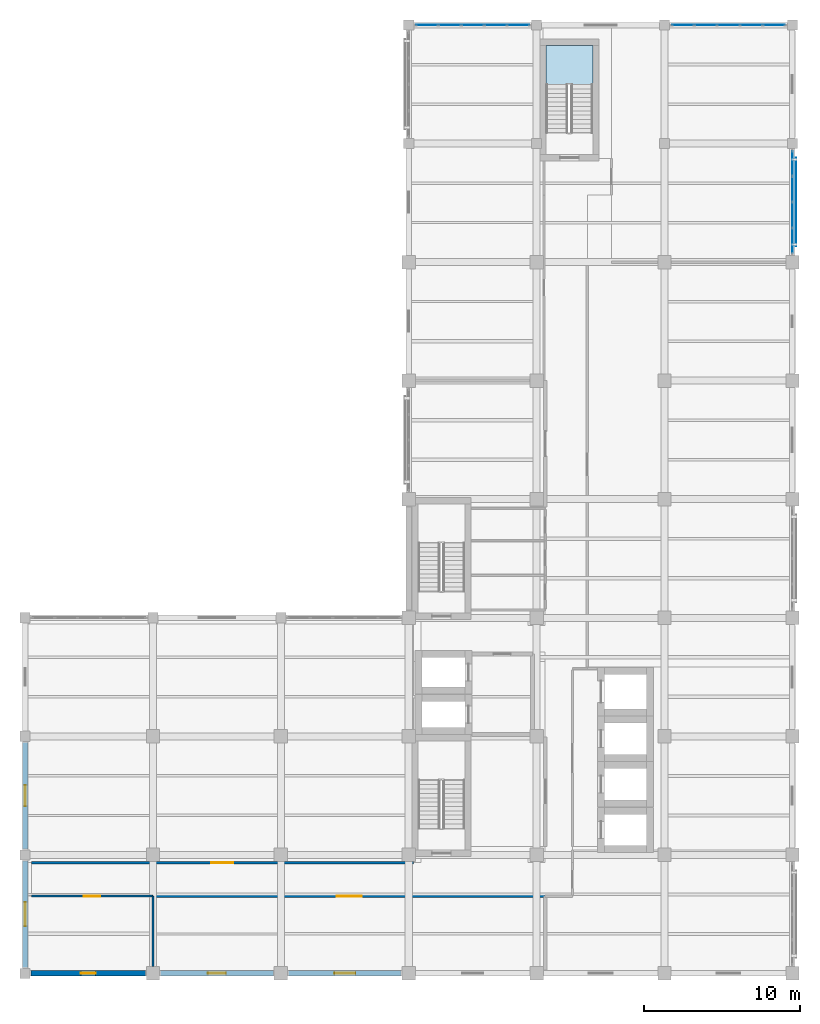
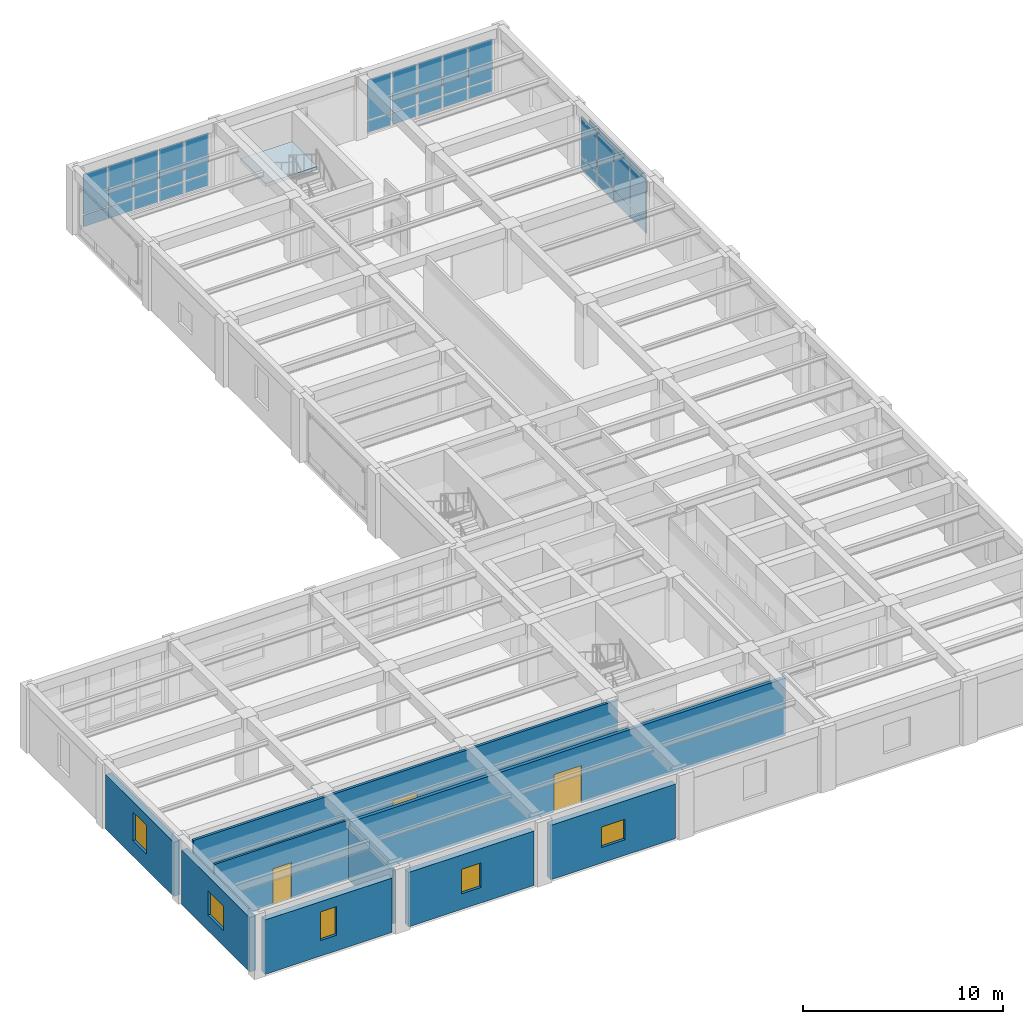
# One storey, part 8 of 17: 29 plates, 9 walls, 5 windows, 3 doors, 1 slab, 8 openings, 4 elements without a shape of their own.
"""IFC4 building model written with IfcOpenShell, lengths in metres."""

import ifcopenshell
import ifcopenshell.guid

model = None  # the IFC model being written
_history = None  # IfcOwnerHistory: only IFC2X3 demands one
_inside = {}  # id of a spatial element -> (the spatial element, [elements in it])
_under = {}  # id of a project, library or spatial element -> (it, [spatial elements below it])
_declared = {}  # id of a project -> (the project, [libraries it declares])
_typed = {}  # id of a type object -> (the type object, [elements of that type])
_made_of = {}  # id of a material, layer set ... -> (it, [elements and type objects made of it])


def new_model(schema):
    """Start an empty IFC model of exactly this schema.

    Asked for "IFC4X3", IfcOpenShell would pick the latest addendum, in which some entities
    have other attributes; the version numbers below select the first issue.
    IFC2X3 requires an IfcOwnerHistory on every rooted entity: one is made here for all.
    """
    global model, _history
    if schema == "IFC4X3":
        model = ifcopenshell.file(schema_version=(4, 3, 0, 0))
    else:
        model = ifcopenshell.file(schema=schema)
    _inside.clear()
    _under.clear()
    _declared.clear()
    _typed.clear()
    _made_of.clear()
    _history = None
    if model.schema == "IFC2X3":
        org = make("IfcOrganization", Name="unknown")
        user = make(
            "IfcPersonAndOrganization",
            ThePerson=make("IfcPerson", FamilyName="unknown"),
            TheOrganization=org,
        )
        app = make(
            "IfcApplication",
            ApplicationDeveloper=org,
            Version="unknown",
            ApplicationFullName="unknown",
            ApplicationIdentifier="unknown",
        )
        _history = make(
            "IfcOwnerHistory",
            OwningUser=user,
            OwningApplication=app,
            ChangeAction="ADDED",
            CreationDate=0,
        )
    return model


def make(cls, **values):
    """One entity of the class cls with the attributes given. An attribute that is None is left unset."""
    return model.create_entity(
        cls, **{name: value for name, value in values.items() if value is not None}
    )


def rooted(cls, **values):
    """An entity with a GlobalId (a new one), such as an element, a storey or a relation."""
    return make(cls, GlobalId=ifcopenshell.guid.new(), OwnerHistory=_history, **values)


def si_unit(unit_type, name, prefix=None):
    """IfcSIUnit, for example si_unit("LENGTHUNIT", "METRE", prefix="MILLI")."""
    return make("IfcSIUnit", UnitType=unit_type, Prefix=prefix, Name=name)


def assignment(units):
    """IfcUnitAssignment: the units of a project."""
    return None if units is None else make("IfcUnitAssignment", Units=units)


def point(xyz):
    """IfcCartesianPoint."""
    return None if xyz is None else make("IfcCartesianPoint", Coordinates=xyz)


def direction(xyz):
    """IfcDirection."""
    return None if xyz is None else make("IfcDirection", DirectionRatios=xyz)


def frame(location, z_axis=None, x_axis=None):
    """IfcAxis2Placement3D, a coordinate frame: its origin and axes. An axis left out is left unset."""
    return make(
        "IfcAxis2Placement3D",
        Location=point(location),
        Axis=direction(z_axis),
        RefDirection=direction(x_axis),
    )


def frame_2d(location, x_axis=None):
    """IfcAxis2Placement2D, a coordinate frame in the plane: its origin and x axis."""
    return make(
        "IfcAxis2Placement2D", Location=point(location), RefDirection=direction(x_axis)
    )


def origin():
    """The frame at (0, 0, 0) with its axes left unset."""
    return frame((0.0, 0.0, 0.0))


def origin_2d():
    """The frame at (0, 0) in the plane with its x axis left unset."""
    return frame_2d((0.0, 0.0))


def place(relative_to, where):
    """IfcLocalPlacement: puts the frame where relative to a parent placement (None: the world)."""
    return make(
        "IfcLocalPlacement", PlacementRelTo=relative_to, RelativePlacement=where
    )


def context(
    kind, dimensions, precision=None, world=None, true_north=None, identifier=None
):
    """IfcGeometricRepresentationContext, for example the 3D "Model" context."""
    return make(
        "IfcGeometricRepresentationContext",
        ContextIdentifier=identifier,
        ContextType=kind,
        CoordinateSpaceDimension=dimensions,
        Precision=precision,
        WorldCoordinateSystem=world,
        TrueNorth=true_north,
    )


def subcontext(parent, identifier, kind, view, scale=None):
    """IfcGeometricRepresentationSubContext, for example "Body" below "Model"."""
    return make(
        "IfcGeometricRepresentationSubContext",
        ContextIdentifier=identifier,
        ContextType=kind,
        ParentContext=parent,
        TargetScale=scale,
        TargetView=view,
    )


def project(units=None, contexts=None):
    """IfcProject with its units and contexts."""
    return rooted(
        "IfcProject",
        Name="project",
        RepresentationContexts=contexts,
        UnitsInContext=assignment(units),
    )


def spatial(cls, under=None, at=None, **own):
    """A site, building, storey or space (cls), placed at a placement, below another one or the project."""
    s = rooted(cls, ObjectPlacement=at, **own)
    if under is not None:
        _under.setdefault(under.id(), (under, []))[1].append(s)
    return s


def polyline(points):
    """IfcPolyline through the points."""
    return make("IfcPolyline", Points=[point(p) for p in points])


def profile(cls, at=None, kind="AREA", **sizes):
    """A parametric profile (cls). Its sizes go by their IFC names, for example OverallWidth=200.0."""
    return make(cls, ProfileType=kind, Position=at, **sizes)


def rectangle(**sizes):
    """IfcRectangleProfileDef."""
    return profile("IfcRectangleProfileDef", **sizes)


def outline(outer, holes=None, kind="AREA"):
    """IfcArbitraryClosedProfileDef: a profile drawn as a closed curve; with holes, ...WithVoids."""
    if holes is None:
        return make("IfcArbitraryClosedProfileDef", ProfileType=kind, OuterCurve=outer)
    return make(
        "IfcArbitraryProfileDefWithVoids",
        ProfileType=kind,
        OuterCurve=outer,
        InnerCurves=holes,
    )


def extrude(swept, where, along, depth):
    """IfcExtrudedAreaSolid: the profile swept, set in the frame where, extruded along a direction by depth."""
    return make(
        "IfcExtrudedAreaSolid",
        SweptArea=swept,
        Position=where,
        ExtrudedDirection=direction(along),
        Depth=depth,
    )


def shape(context_of_items, identifier, shape_type, items):
    """IfcShapeRepresentation: the items that make up one representation, for example the "Body"."""
    return make(
        "IfcShapeRepresentation",
        ContextOfItems=context_of_items,
        RepresentationIdentifier=identifier,
        RepresentationType=shape_type,
        Items=items,
    )


def material(Name=None, Category=None):
    """IfcMaterial."""
    return make("IfcMaterial", Name=Name, Category=Category)


def layer(
    of_material, thickness, ventilated=None, Name=None, Category=None, Priority=None
):
    """IfcMaterialLayer: one layer of a wall or slab, of a material (None: an air gap)."""
    return make(
        "IfcMaterialLayer",
        Material=of_material,
        LayerThickness=thickness,
        IsVentilated=ventilated,
        Name=Name,
        Category=Category,
        Priority=Priority,
    )


def layer_set(layers, Name=None):
    """IfcMaterialLayerSet."""
    return make("IfcMaterialLayerSet", MaterialLayers=layers, LayerSetName=Name)


def made_of(thing, what):
    """Note that an element or type object is made of a material, layer set ...; save() writes the relation."""
    if what is not None:
        _made_of.setdefault(what.id(), (what, []))[1].append(thing)
    return thing


def type_object(cls, material=None, **own):
    """A type object (cls), such as IfcWallType, which elements share."""
    return made_of(rooted(cls, **own), material)


def element(
    cls,
    number,
    at=None,
    inside=None,
    cuts=None,
    type_object=None,
    material=None,
    context=None,
    identifier="Body",
    shape_type=None,
    held_by="IfcProductDefinitionShape",
    body=None,
    shapes=None,
    **own,
):
    """One element of the class cls, such as IfcWall. Its Tag is "e" and its number.

    at: its placement. inside: the storey or other place that contains it. cuts: it is an
    opening in that element (IfcRelVoidsElement). A single representation is given by context,
    identifier, shape_type and body (its items); several are given by shapes. held_by: the class
    of the entity that holds the representations. save() writes the other relations.
    """
    e = rooted(cls, Tag="e%d" % number, ObjectPlacement=at, **own)
    if body is not None:
        shapes = [shape(context, identifier, shape_type, body)]
    if shapes is not None:
        e.Representation = make(held_by, Representations=shapes)
    if inside is not None:
        _inside.setdefault(inside.id(), (inside, []))[1].append(e)
    if cuts is not None:
        rooted(
            "IfcRelVoidsElement", RelatingBuildingElement=cuts, RelatedOpeningElement=e
        )
    if type_object is not None:
        _typed.setdefault(type_object.id(), (type_object, []))[1].append(e)
    return made_of(e, material)


def fill(opening, filler):
    """IfcRelFillsElement: the door or window that sits in an opening."""
    return rooted(
        "IfcRelFillsElement",
        RelatingOpeningElement=opening,
        RelatedBuildingElement=filler,
    )


def aggregate(whole, parts):
    """IfcRelAggregates: a whole, such as a stair, and the parts it consists of."""
    return rooted("IfcRelAggregates", RelatingObject=whole, RelatedObjects=parts)


def save(model, path):
    """Write the relations noted so far, then the file.

    IfcRelAggregates (storeys below a building ...), IfcRelContainedInSpatialStructure (elements
    in a storey), IfcRelDefinesByType, IfcRelAssociatesMaterial and IfcRelDeclares: one each for
    every whole, place, type object, material and project.
    """
    for whole, parts in _under.values():
        aggregate(whole, parts)
    for where, things in _inside.values():
        rooted(
            "IfcRelContainedInSpatialStructure",
            RelatedElements=things,
            RelatingStructure=where,
        )
    for kind, things in _typed.values():
        rooted("IfcRelDefinesByType", RelatedObjects=things, RelatingType=kind)
    for what, things in _made_of.values():
        rooted("IfcRelAssociatesMaterial", RelatedObjects=things, RelatingMaterial=what)
    for by, libraries in _declared.values():
        rooted("IfcRelDeclares", RelatingContext=by, RelatedDefinitions=libraries)
    model.write(path)


model = new_model("IFC4")

# Units and contexts
model_context = context("Model", 3, precision=1e-05, world=origin(), true_north=direction((0.0, 1.0)))
body_context = subcontext(model_context, "Body", "Model", "MODEL_VIEW")
ifc_project = project(units=[si_unit("LENGTHUNIT", "METRE"), si_unit("AREAUNIT", "SQUARE_METRE"), si_unit("VOLUMEUNIT", "CUBIC_METRE"), si_unit("PLANEANGLEUNIT", "RADIAN"), si_unit("MASSUNIT", "GRAM", prefix="KILO")], contexts=[model_context])

# Site, building, storey
site_placement = place(None, origin())
site = spatial("IfcSite", under=ifc_project, at=site_placement, CompositionType="ELEMENT")
building_placement = place(site_placement, origin())
building = spatial("IfcBuilding", under=site, at=building_placement, Name="Qandaris Square Conservatory and Botanical Centre", CompositionType="ELEMENT")
storey_placement = place(building_placement, frame((0.0, 0.0, 28.199951171875)))
storey = spatial("IfcBuildingStorey", under=building, at=storey_placement, Name="L06", CompositionType="ELEMENT", Elevation=28.199951171875)

# Curtain wall, plates
ifc_material_1 = material(Name="Anodised Aluminium", Category="aluminium")
curtain_wall_type_1 = type_object("IfcCurtainWallType", Name="Unitised Curtain Wall CW-4-665x334", PredefinedType="USERDEFINED", material=ifc_material_1)
curtain_wall_1_placement = place(storey_placement, origin())
curtain_wall_1 = element("IfcCurtainWall", 1, at=curtain_wall_1_placement, inside=storey, type_object=curtain_wall_type_1, Name="Curtain Wall CW-TWR-L06-2-7", ObjectType="GLAZED CURTAIN WALL", PredefinedType="USERDEFINED")
ifc_material_2 = material(Name="Tempered Low-E Glass", Category="glass")
ifc_layer_1 = layer(ifc_material_2, 0.035888671875)
ifc_layer_set_1 = layer_set([ifc_layer_1], Name="Tempered Low-E Glass")
plate_type_1 = type_object("IfcPlateType", Name="Double-Glazed Solar Control Vision Unit 36mm", PredefinedType="CURTAIN_PANEL", material=ifc_layer_set_1)
plate_1_placement = place(storey_placement, frame((163.800048828125, 63.572509765625, 0.06494140625), z_axis=(0.0, 0.0, 1.0), x_axis=(0.0, 1.0, 0.0)))
plate_1 = element("IfcPlate", 2, at=plate_1_placement, type_object=plate_type_1, Name="CW-4-665x334 panel 1.1", PredefinedType="CURTAIN_PANEL", context=body_context, shape_type="SweptSolid", body=[
    extrude(rectangle(XDim=1.56494140625, YDim=0.035888671875, at=origin_2d()), origin(), (0.0, 0.0, 1.0), 0.7041015625),
])
plate_2_placement = place(storey_placement, frame((163.800048828125, 63.572509765625, 0.834228515625), z_axis=(0.0, 0.0, 1.0), x_axis=(0.0, 1.0, 0.0)))
plate_2 = element("IfcPlate", 3, at=plate_2_placement, type_object=plate_type_1, Name="CW-4-665x334 panel 1.2", PredefinedType="CURTAIN_PANEL", context=body_context, shape_type="SweptSolid", body=[
    extrude(rectangle(XDim=1.56494140625, YDim=0.035888671875, at=origin_2d()), origin(), (0.0, 0.0, 1.0), 2.44091796875),
])
plate_3_placement = place(storey_placement, frame((163.800048828125, 65.21875, 0.06494140625), z_axis=(0.0, 0.0, 1.0), x_axis=(0.0, 1.0, 0.0)))
plate_3 = element("IfcPlate", 4, at=plate_3_placement, type_object=plate_type_1, Name="CW-4-665x334 panel 2.1", PredefinedType="CURTAIN_PANEL", context=body_context, shape_type="SweptSolid", body=[
    extrude(rectangle(XDim=1.597412109375, YDim=0.035888671875, at=origin_2d()), origin(), (0.0, 0.0, 1.0), 0.7041015625),
])
plate_4_placement = place(storey_placement, frame((163.800048828125, 65.21875, 0.834228515625), z_axis=(0.0, 0.0, 1.0), x_axis=(0.0, 1.0, 0.0)))
plate_4 = element("IfcPlate", 5, at=plate_4_placement, type_object=plate_type_1, Name="CW-4-665x334 panel 2.2", PredefinedType="CURTAIN_PANEL", context=body_context, shape_type="SweptSolid", body=[
    extrude(rectangle(XDim=1.597412109375, YDim=0.035888671875, at=origin_2d()), origin(), (0.0, 0.0, 1.0), 2.44091796875),
])
plate_5_placement = place(storey_placement, frame((163.800048828125, 66.88134765625, 0.06494140625), z_axis=(0.0, 0.0, 1.0), x_axis=(0.0, 1.0, 0.0)))
plate_5 = element("IfcPlate", 6, at=plate_5_placement, type_object=plate_type_1, Name="CW-4-665x334 panel 3.1", PredefinedType="CURTAIN_PANEL", context=body_context, shape_type="SweptSolid", body=[
    extrude(rectangle(XDim=1.597412109375, YDim=0.035888671875, at=origin_2d()), origin(), (0.0, 0.0, 1.0), 0.7041015625),
])
plate_6_placement = place(storey_placement, frame((163.800048828125, 66.88134765625, 0.834228515625), z_axis=(0.0, 0.0, 1.0), x_axis=(0.0, 1.0, 0.0)))
plate_6 = element("IfcPlate", 7, at=plate_6_placement, type_object=plate_type_1, Name="CW-4-665x334 panel 3.2", PredefinedType="CURTAIN_PANEL", context=body_context, shape_type="SweptSolid", body=[
    extrude(rectangle(XDim=1.597412109375, YDim=0.035888671875, at=origin_2d()), origin(), (0.0, 0.0, 1.0), 2.44091796875),
])
plate_7_placement = place(storey_placement, frame((163.800048828125, 68.527587890625, 0.06494140625), z_axis=(0.0, 0.0, 1.0), x_axis=(0.0, 1.0, 0.0)))
plate_7 = element("IfcPlate", 8, at=plate_7_placement, type_object=plate_type_1, Name="CW-4-665x334 panel 4.1", PredefinedType="CURTAIN_PANEL", context=body_context, shape_type="SweptSolid", body=[
    extrude(rectangle(XDim=1.56494140625, YDim=0.035888671875, at=origin_2d()), origin(), (0.0, 0.0, 1.0), 0.7041015625),
])
plate_8_placement = place(storey_placement, frame((163.800048828125, 68.527587890625, 0.834228515625), z_axis=(0.0, 0.0, 1.0), x_axis=(0.0, 1.0, 0.0)))
plate_8 = element("IfcPlate", 9, at=plate_8_placement, type_object=plate_type_1, Name="CW-4-665x334 panel 4.2", PredefinedType="CURTAIN_PANEL", context=body_context, shape_type="SweptSolid", body=[
    extrude(rectangle(XDim=1.56494140625, YDim=0.035888671875, at=origin_2d()), origin(), (0.0, 0.0, 1.0), 2.44091796875),
])
aggregate(curtain_wall_1, [plate_1, plate_2, plate_3, plate_4, plate_5, plate_6, plate_7, plate_8])

curtain_wall_type_2 = type_object("IfcCurtainWallType", Name="Unitised Curtain Wall CW-3-735x334", PredefinedType="USERDEFINED", material=ifc_material_1)
curtain_wall_2_placement = place(storey_placement, origin())
curtain_wall_2 = element("IfcCurtainWall", 10, at=curtain_wall_2_placement, inside=storey, type_object=curtain_wall_type_2, Name="Curtain Wall CW-TWR-L06-3-1", ObjectType="GLAZED CURTAIN WALL", PredefinedType="USERDEFINED")
plate_9_placement = place(storey_placement, frame((162.623779296875, 77.39990234375, 0.06494140625), z_axis=(0.0, 0.0, 1.0), x_axis=(-1.0, 0.0, 0.0)))
plate_9 = element("IfcPlate", 11, at=plate_9_placement, type_object=plate_type_1, Name="CW-3-735x334 panel 1.1", PredefinedType="CURTAIN_PANEL", context=body_context, shape_type="SweptSolid", body=[
    extrude(rectangle(XDim=1.37255859375, YDim=0.035888671875, at=origin_2d()), origin(), (0.0, 0.0, 1.0), 0.7041015625),
])
plate_10_placement = place(storey_placement, frame((162.623779296875, 77.39990234375, 0.834228515625), z_axis=(0.0, 0.0, 1.0), x_axis=(-1.0, 0.0, 0.0)))
plate_10 = element("IfcPlate", 12, at=plate_10_placement, type_object=plate_type_1, Name="CW-3-735x334 panel 1.2", PredefinedType="CURTAIN_PANEL", context=body_context, shape_type="SweptSolid", body=[
    extrude(rectangle(XDim=1.37255859375, YDim=0.035888671875, at=origin_2d()), origin(), (0.0, 0.0, 1.0), 2.44091796875),
])
plate_11_placement = place(storey_placement, frame((161.169921875, 77.39990234375, 0.06494140625), z_axis=(0.0, 0.0, 1.0), x_axis=(-1.0, 0.0, 0.0)))
plate_11 = element("IfcPlate", 13, at=plate_11_placement, type_object=plate_type_1, Name="CW-3-735x334 panel 2.1", PredefinedType="CURTAIN_PANEL", context=body_context, shape_type="SweptSolid", body=[
    extrude(rectangle(XDim=1.405029296875, YDim=0.035888671875, at=origin_2d()), origin(), (0.0, 0.0, 1.0), 0.7041015625),
])
plate_12_placement = place(storey_placement, frame((161.169921875, 77.39990234375, 0.834228515625), z_axis=(0.0, 0.0, 1.0), x_axis=(-1.0, 0.0, 0.0)))
plate_12 = element("IfcPlate", 14, at=plate_12_placement, type_object=plate_type_1, Name="CW-3-735x334 panel 2.2", PredefinedType="CURTAIN_PANEL", context=body_context, shape_type="SweptSolid", body=[
    extrude(rectangle(XDim=1.405029296875, YDim=0.035888671875, at=origin_2d()), origin(), (0.0, 0.0, 1.0), 2.44091796875),
])
plate_13_placement = place(storey_placement, frame((159.699951171875, 77.39990234375, 0.06494140625), z_axis=(0.0, 0.0, 1.0), x_axis=(-1.0, 0.0, 0.0)))
plate_13 = element("IfcPlate", 15, at=plate_13_placement, type_object=plate_type_1, Name="CW-3-735x334 panel 3.1", PredefinedType="CURTAIN_PANEL", context=body_context, shape_type="SweptSolid", body=[
    extrude(rectangle(XDim=1.405029296875, YDim=0.035888671875, at=origin_2d()), origin(), (0.0, 0.0, 1.0), 0.7041015625),
])
plate_14_placement = place(storey_placement, frame((159.699951171875, 77.39990234375, 0.834228515625), z_axis=(0.0, 0.0, 1.0), x_axis=(-1.0, 0.0, 0.0)))
plate_14 = element("IfcPlate", 16, at=plate_14_placement, type_object=plate_type_1, Name="CW-3-735x334 panel 3.2", PredefinedType="CURTAIN_PANEL", context=body_context, shape_type="SweptSolid", body=[
    extrude(rectangle(XDim=1.405029296875, YDim=0.035888671875, at=origin_2d()), origin(), (0.0, 0.0, 1.0), 2.44091796875),
])
plate_15_placement = place(storey_placement, frame((158.22998046875, 77.39990234375, 0.06494140625), z_axis=(0.0, 0.0, 1.0), x_axis=(-1.0, 0.0, 0.0)))
plate_15 = element("IfcPlate", 17, at=plate_15_placement, type_object=plate_type_1, Name="CW-3-735x334 panel 4.1", PredefinedType="CURTAIN_PANEL", context=body_context, shape_type="SweptSolid", body=[
    extrude(rectangle(XDim=1.405029296875, YDim=0.035888671875, at=origin_2d()), origin(), (0.0, 0.0, 1.0), 0.7041015625),
])
plate_16_placement = place(storey_placement, frame((158.22998046875, 77.39990234375, 0.834228515625), z_axis=(0.0, 0.0, 1.0), x_axis=(-1.0, 0.0, 0.0)))
plate_16 = element("IfcPlate", 18, at=plate_16_placement, type_object=plate_type_1, Name="CW-3-735x334 panel 4.2", PredefinedType="CURTAIN_PANEL", context=body_context, shape_type="SweptSolid", body=[
    extrude(rectangle(XDim=1.405029296875, YDim=0.035888671875, at=origin_2d()), origin(), (0.0, 0.0, 1.0), 2.44091796875),
])
plate_17_placement = place(storey_placement, frame((156.7763671875, 77.39990234375, 0.06494140625), z_axis=(0.0, 0.0, 1.0), x_axis=(-1.0, 0.0, 0.0)))
plate_17 = element("IfcPlate", 19, at=plate_17_placement, type_object=plate_type_1, Name="CW-3-735x334 panel 5.1", PredefinedType="CURTAIN_PANEL", context=body_context, shape_type="SweptSolid", body=[
    extrude(rectangle(XDim=1.37255859375, YDim=0.035888671875, at=origin_2d()), origin(), (0.0, 0.0, 1.0), 0.7041015625),
])
plate_18_placement = place(storey_placement, frame((156.7763671875, 77.39990234375, 0.834228515625), z_axis=(0.0, 0.0, 1.0), x_axis=(-1.0, 0.0, 0.0)))
plate_18 = element("IfcPlate", 20, at=plate_18_placement, type_object=plate_type_1, Name="CW-3-735x334 panel 5.2", PredefinedType="CURTAIN_PANEL", context=body_context, shape_type="SweptSolid", body=[
    extrude(rectangle(XDim=1.37255859375, YDim=0.035888671875, at=origin_2d()), origin(), (0.0, 0.0, 1.0), 2.44091796875),
])
aggregate(curtain_wall_2, [plate_9, plate_10, plate_11, plate_12, plate_13, plate_14, plate_15, plate_16, plate_17, plate_18])

curtain_wall_3_placement = place(storey_placement, origin())
curtain_wall_3 = element("IfcCurtainWall", 21, at=curtain_wall_3_placement, inside=storey, type_object=curtain_wall_type_2, Name="Curtain Wall CW-TWR-L06-3-3", ObjectType="GLAZED CURTAIN WALL", PredefinedType="USERDEFINED")
plate_19_placement = place(storey_placement, frame((146.2236328125, 77.39990234375, 0.06494140625), z_axis=(0.0, 0.0, 1.0), x_axis=(-1.0, 0.0, 0.0)))
plate_19 = element("IfcPlate", 22, at=plate_19_placement, type_object=plate_type_1, Name="CW-3-735x334 panel 1.1", PredefinedType="CURTAIN_PANEL", context=body_context, shape_type="SweptSolid", body=[
    extrude(rectangle(XDim=1.37255859375, YDim=0.035888671875, at=origin_2d()), origin(), (0.0, 0.0, 1.0), 0.7041015625),
])
plate_20_placement = place(storey_placement, frame((146.2236328125, 77.39990234375, 0.834228515625), z_axis=(0.0, 0.0, 1.0), x_axis=(-1.0, 0.0, 0.0)))
plate_20 = element("IfcPlate", 23, at=plate_20_placement, type_object=plate_type_1, Name="CW-3-735x334 panel 1.2", PredefinedType="CURTAIN_PANEL", context=body_context, shape_type="SweptSolid", body=[
    extrude(rectangle(XDim=1.37255859375, YDim=0.035888671875, at=origin_2d()), origin(), (0.0, 0.0, 1.0), 2.44091796875),
])
plate_21_placement = place(storey_placement, frame((144.77001953125, 77.39990234375, 0.06494140625), z_axis=(0.0, 0.0, 1.0), x_axis=(-1.0, 0.0, 0.0)))
plate_21 = element("IfcPlate", 24, at=plate_21_placement, type_object=plate_type_1, Name="CW-3-735x334 panel 2.1", PredefinedType="CURTAIN_PANEL", context=body_context, shape_type="SweptSolid", body=[
    extrude(rectangle(XDim=1.405029296875, YDim=0.035888671875, at=origin_2d()), origin(), (0.0, 0.0, 1.0), 0.7041015625),
])
plate_22_placement = place(storey_placement, frame((144.77001953125, 77.39990234375, 0.834228515625), z_axis=(0.0, 0.0, 1.0), x_axis=(-1.0, 0.0, 0.0)))
plate_22 = element("IfcPlate", 25, at=plate_22_placement, type_object=plate_type_1, Name="CW-3-735x334 panel 2.2", PredefinedType="CURTAIN_PANEL", context=body_context, shape_type="SweptSolid", body=[
    extrude(rectangle(XDim=1.405029296875, YDim=0.035888671875, at=origin_2d()), origin(), (0.0, 0.0, 1.0), 2.44091796875),
])
plate_23_placement = place(storey_placement, frame((143.300048828125, 77.39990234375, 0.06494140625), z_axis=(0.0, 0.0, 1.0), x_axis=(-1.0, 0.0, 0.0)))
plate_23 = element("IfcPlate", 26, at=plate_23_placement, type_object=plate_type_1, Name="CW-3-735x334 panel 3.1", PredefinedType="CURTAIN_PANEL", context=body_context, shape_type="SweptSolid", body=[
    extrude(rectangle(XDim=1.405029296875, YDim=0.035888671875, at=origin_2d()), origin(), (0.0, 0.0, 1.0), 0.7041015625),
])
plate_24_placement = place(storey_placement, frame((143.300048828125, 77.39990234375, 0.834228515625), z_axis=(0.0, 0.0, 1.0), x_axis=(-1.0, 0.0, 0.0)))
plate_24 = element("IfcPlate", 27, at=plate_24_placement, type_object=plate_type_1, Name="CW-3-735x334 panel 3.2", PredefinedType="CURTAIN_PANEL", context=body_context, shape_type="SweptSolid", body=[
    extrude(rectangle(XDim=1.405029296875, YDim=0.035888671875, at=origin_2d()), origin(), (0.0, 0.0, 1.0), 2.44091796875),
])
plate_25_placement = place(storey_placement, frame((141.830078125, 77.39990234375, 0.06494140625), z_axis=(0.0, 0.0, 1.0), x_axis=(-1.0, 0.0, 0.0)))
plate_25 = element("IfcPlate", 28, at=plate_25_placement, type_object=plate_type_1, Name="CW-3-735x334 panel 4.1", PredefinedType="CURTAIN_PANEL", context=body_context, shape_type="SweptSolid", body=[
    extrude(rectangle(XDim=1.405029296875, YDim=0.035888671875, at=origin_2d()), origin(), (0.0, 0.0, 1.0), 0.7041015625),
])
plate_26_placement = place(storey_placement, frame((141.830078125, 77.39990234375, 0.834228515625), z_axis=(0.0, 0.0, 1.0), x_axis=(-1.0, 0.0, 0.0)))
plate_26 = element("IfcPlate", 29, at=plate_26_placement, type_object=plate_type_1, Name="CW-3-735x334 panel 4.2", PredefinedType="CURTAIN_PANEL", context=body_context, shape_type="SweptSolid", body=[
    extrude(rectangle(XDim=1.405029296875, YDim=0.035888671875, at=origin_2d()), origin(), (0.0, 0.0, 1.0), 2.44091796875),
])
plate_27_placement = place(storey_placement, frame((140.376220703125, 77.39990234375, 0.06494140625), z_axis=(0.0, 0.0, 1.0), x_axis=(-1.0, 0.0, 0.0)))
plate_27 = element("IfcPlate", 30, at=plate_27_placement, type_object=plate_type_1, Name="CW-3-735x334 panel 5.1", PredefinedType="CURTAIN_PANEL", context=body_context, shape_type="SweptSolid", body=[
    extrude(rectangle(XDim=1.37255859375, YDim=0.035888671875, at=origin_2d()), origin(), (0.0, 0.0, 1.0), 0.7041015625),
])
plate_28_placement = place(storey_placement, frame((140.376220703125, 77.39990234375, 0.834228515625), z_axis=(0.0, 0.0, 1.0), x_axis=(-1.0, 0.0, 0.0)))
plate_28 = element("IfcPlate", 31, at=plate_28_placement, type_object=plate_type_1, Name="CW-3-735x334 panel 5.2", PredefinedType="CURTAIN_PANEL", context=body_context, shape_type="SweptSolid", body=[
    extrude(rectangle(XDim=1.37255859375, YDim=0.035888671875, at=origin_2d()), origin(), (0.0, 0.0, 1.0), 2.44091796875),
])
aggregate(curtain_wall_3, [plate_19, plate_20, plate_21, plate_22, plate_23, plate_24, plate_25, plate_26, plate_27, plate_28])

# Plate
ifc_material_3 = material(Name="Weathering Bronze Alloy", Category="metal")
ifc_layer_2 = layer(ifc_material_3, 0.044921875)
ifc_layer_set_2 = layer_set([ifc_layer_2], Name="Weathering Bronze Alloy")
plate_type_2 = type_object("IfcPlateType", Name="Perforated Bronze Mashrabiya Solar Screen Panel", PredefinedType="USERDEFINED", material=ifc_layer_set_2)
plate_29_placement = place(storey_placement, frame((164.02001953125, 66.050048828125, 0.83154296875), z_axis=(0.0, 0.0, 1.0), x_axis=(0.0, 1.0, 0.0)))
element("IfcPlate", 32, at=plate_29_placement, inside=storey, type_object=plate_type_2, Name="Mashrabiya Solar Screen CW-TWR-L06-2-7", ObjectType="SOLAR SCREEN", PredefinedType="USERDEFINED", context=body_context, shape_type="SweptSolid", body=[
    extrude(rectangle(XDim=5.68994140625, YDim=0.044921875, at=origin_2d()), origin(), (0.0, 0.0, 1.0), 2.41845703125),
])

# Stair, slab
ifc_material_4 = material(Name="Concrete C40/50", Category="concrete")
stair_type = type_object("IfcStairType", Name="Core Escape Scissor Stair", PredefinedType="HALF_TURN_STAIR", material=ifc_material_4)
stair_placement = place(storey_placement, origin())
stair = element("IfcStair", 33, at=stair_placement, inside=storey, type_object=stair_type, Name="L06 Herbarium North Exit Stair ST-3", PredefinedType="HALF_TURN_STAIR")
ifc_layer_3 = layer(ifc_material_4, 0.219970703125)
ifc_layer_set_3 = layer_set([ifc_layer_3], Name="Concrete C40/50")
slab_type = type_object("IfcSlabType", Name="RC Stair Half-Landing Slab 220mm", PredefinedType="LANDING", material=ifc_layer_set_3)
slab_placement = place(storey_placement, frame((0.0, 0.0, 1.900146484375)))
slab = element("IfcSlab", 34, at=slab_placement, type_object=slab_type, Name="ST-3 landing 1", PredefinedType="LANDING", context=body_context, shape_type="SweptSolid", body=[
    extrude(outline(polyline([(151.0, 73.580078125), (151.0, 76.10009765625), (148.0, 76.10009765625), (148.0, 73.580078125), (151.0, 73.580078125)])), origin(), (0.0, 0.0, 1.0), 0.199951171875),
])
aggregate(stair, [slab])

# Wall, opening, door
ifc_material_5 = material(Name="Gypsum Plasterboard", Category="gypsum")
ifc_layer_4 = layer(ifc_material_5, 0.14990234375)
ifc_layer_set_4 = layer_set([ifc_layer_4], Name="Gypsum Plasterboard")
wall_type_1 = type_object("IfcWallType", Name="Acoustic Laboratory Partition 150mm", PredefinedType="PARTITIONING", material=ifc_layer_set_4)
wall_1_placement = place(storey_placement, frame((115.0, 23.699951171875, 0.0), z_axis=(0.0, 0.0, 1.0), x_axis=(1.0, 0.0, 0.0)))
wall_1 = element("IfcWall", 35, at=wall_1_placement, inside=storey, type_object=wall_type_1, Name="Interior Partition IW-L06-0260", PredefinedType="PARTITIONING", context=body_context, shape_type="SweptSolid", body=[
    extrude(rectangle(XDim=24.5, YDim=0.14990234375, at=frame_2d((12.25, 0.0))), origin(), (0.0, 0.0, 1.0), 3.804931640625),
])
opening_1_placement = place(wall_1_placement, frame((11.550048828125, 0.0, 0.0)))
opening_1 = element("IfcOpeningElement", 36, at=opening_1_placement, cuts=wall_1, Name="Opening D-LAB1", PredefinedType="OPENING", context=body_context, shape_type="SweptSolid", body=[
    extrude(rectangle(XDim=1.39990234375, YDim=2.199951171875, at=frame_2d((0.699951171875, 1.10009765625))), frame((0.0, 0.0869140625, 0.0), z_axis=(0.0, -1.0, 0.0), x_axis=(1.0, 0.0, 0.0)), (0.0, 0.0, 1.0), 0.173828125),
])
ifc_material_6 = material(Name="Engineered Oak Timber", Category="wood")
door_type_1 = type_object("IfcDoorType", Name="Research Laboratory Leaf-and-Half Door 1400x2200", OperationType="DOUBLE_DOOR_SINGLE_SWING", PredefinedType="DOOR", material=ifc_material_6)
door_1_placement = place(opening_1_placement, frame((1.39990234375, 0.0, 0.0), z_axis=(0.0, 0.0, 1.0), x_axis=(-1.0, 0.0, 0.0)))
door_1 = element("IfcDoor", 37, at=door_1_placement, inside=storey, type_object=door_type_1, Name="DR-0227 Arid Agroforestry Research Laboratory Door", OperationType="DOUBLE_DOOR_SINGLE_SWING", OverallHeight=2.199951171875, OverallWidth=1.39990234375, PredefinedType="DOOR", context=body_context, shape_type="SweptSolid", body=[
    extrude(rectangle(XDim=1.39990234375, YDim=2.199951171875, at=frame_2d((0.699951171875, 1.10009765625))), frame((0.0, 0.02490234375, 0.0), z_axis=(0.0, -1.0, 0.0), x_axis=(1.0, 0.0, 0.0)), (0.0, 0.0, 1.0), 0.050048828125),
])
fill(opening_1, door_1)

# Wall
wall_2_placement = place(storey_placement, frame((122.800048828125, 21.550048828125, 0.0), z_axis=(0.0, 0.0, 1.0), x_axis=(0.0, -1.0, 0.0)))
element("IfcWall", 38, at=wall_2_placement, inside=storey, type_object=wall_type_1, Name="Interior Partition IW-L06-0261", PredefinedType="PARTITIONING", context=body_context, shape_type="SweptSolid", body=[
    extrude(rectangle(XDim=4.505126953125, YDim=0.14990234375, at=frame_2d((2.25244140625, 0.0))), origin(), (0.0, 0.0, 1.0), 3.275146484375),
])

# Wall, opening, window
ifc_material_7 = material(Name="Precast concrete C40/50", Category="concrete")
ifc_layer_5 = layer(ifc_material_7, 0.360107421875)
ifc_layer_set_5 = layer_set([ifc_layer_5], Name="Precast concrete C40/50")
wall_type_2 = type_object("IfcWallType", Name="Architectural Precast Cladding Wall 360mm", PredefinedType="SOLIDWALL", material=ifc_layer_set_5)
wall_3_placement = place(storey_placement, frame((114.985107421875, 16.60009765625, 0.0), z_axis=(0.0, 0.0, 1.0), x_axis=(1.0, 0.0, 0.0)))
wall_3 = element("IfcWall", 39, at=wall_3_placement, inside=storey, type_object=wall_type_2, Name="Exterior Wall EW-TWR-L06-1-1", PredefinedType="SOLIDWALL", context=body_context, shape_type="SweptSolid", body=[
    extrude(rectangle(XDim=7.329833984375, YDim=0.360107421875, at=frame_2d((3.6650390625, 0.0))), origin(), (0.0, 0.0, 1.0), 3.324951171875),
])
opening_2_placement = place(wall_3_placement, frame((3.18994140625, 0.0, 0.949951171875)))
opening_2 = element("IfcOpeningElement", 40, at=opening_2_placement, cuts=wall_3, Name="Opening WN-15", PredefinedType="OPENING", context=body_context, shape_type="SweptSolid", body=[
    extrude(rectangle(XDim=0.949951171875, YDim=1.75, at=frame_2d((0.47509765625, 0.875))), frame((0.0, 0.19189453125, 0.0), z_axis=(0.0, -1.0, 0.0), x_axis=(1.0, 0.0, 0.0)), (0.0, 0.0, 1.0), 0.384033203125),
])
window_type_1 = type_object("IfcWindowType", Name="Solar Control Window 950x1750", PartitioningType="SINGLE_PANEL", PredefinedType="WINDOW", material=ifc_material_2)
window_1_placement = place(opening_2_placement, origin())
window_1 = element("IfcWindow", 41, at=window_1_placement, inside=storey, type_object=window_type_1, Name="Window EW-TWR-L06-1-1", OverallHeight=1.75, OverallWidth=0.949951171875, PartitioningType="SINGLE_PANEL", PredefinedType="WINDOW", context=body_context, shape_type="SweptSolid", body=[
    extrude(rectangle(XDim=0.949951171875, YDim=1.75, at=frame_2d((0.47509765625, 0.875))), frame((0.0, 0.030029296875, 0.0), z_axis=(0.0, -1.0, 0.0), x_axis=(1.0, 0.0, 0.0)), (0.0, 0.0, 1.0), 0.06005859375),
])
fill(opening_2, window_1)

wall_4_placement = place(storey_placement, frame((123.284912109375, 16.60009765625, 0.0), z_axis=(0.0, 0.0, 1.0), x_axis=(1.0, 0.0, 0.0)))
wall_4 = element("IfcWall", 42, at=wall_4_placement, inside=storey, type_object=wall_type_2, Name="Exterior Wall EW-TWR-L06-1-2", PredefinedType="SOLIDWALL", context=body_context, shape_type="SweptSolid", body=[
    extrude(rectangle(XDim=7.22998046875, YDim=0.360107421875, at=frame_2d((3.614990234375, 0.0))), origin(), (0.0, 0.0, 1.0), 3.324951171875),
])
opening_3_placement = place(wall_4_placement, frame((3.0400390625, 0.0, 0.949951171875)))
opening_3 = element("IfcOpeningElement", 43, at=opening_3_placement, cuts=wall_4, Name="Opening WN-18", PredefinedType="OPENING", context=body_context, shape_type="SweptSolid", body=[
    extrude(rectangle(XDim=1.14990234375, YDim=1.5, at=frame_2d((0.574951171875, 0.75))), frame((0.0, 0.19189453125, 0.0), z_axis=(0.0, -1.0, 0.0), x_axis=(1.0, 0.0, 0.0)), (0.0, 0.0, 1.0), 0.384033203125),
])
window_type_2 = type_object("IfcWindowType", Name="Solar Control Window 1150x1500", PartitioningType="SINGLE_PANEL", PredefinedType="WINDOW", material=ifc_material_2)
window_2_placement = place(opening_3_placement, origin())
window_2 = element("IfcWindow", 44, at=window_2_placement, inside=storey, type_object=window_type_2, Name="Window EW-TWR-L06-1-2", OverallHeight=1.5, OverallWidth=1.14990234375, PartitioningType="SINGLE_PANEL", PredefinedType="WINDOW", context=body_context, shape_type="SweptSolid", body=[
    extrude(rectangle(XDim=1.14990234375, YDim=1.5, at=frame_2d((0.574951171875, 0.75))), frame((0.0, 0.030029296875, 0.0), z_axis=(0.0, -1.0, 0.0), x_axis=(1.0, 0.0, 0.0)), (0.0, 0.0, 1.0), 0.06005859375),
])
fill(opening_3, window_2)

wall_5_placement = place(storey_placement, frame((131.485107421875, 16.60009765625, 0.0), z_axis=(0.0, 0.0, 1.0), x_axis=(1.0, 0.0, 0.0)))
wall_5 = element("IfcWall", 45, at=wall_5_placement, inside=storey, type_object=wall_type_2, Name="Exterior Wall EW-TWR-L06-1-3", PredefinedType="SOLIDWALL", context=body_context, shape_type="SweptSolid", body=[
    extrude(rectangle(XDim=7.22998046875, YDim=0.360107421875, at=frame_2d((3.614990234375, 0.0))), origin(), (0.0, 0.0, 1.0), 3.324951171875),
])
opening_4_placement = place(wall_5_placement, frame((2.93994140625, 0.0, 0.949951171875)))
opening_4 = element("IfcOpeningElement", 46, at=opening_4_placement, cuts=wall_5, Name="Opening WN-21", PredefinedType="OPENING", context=body_context, shape_type="SweptSolid", body=[
    extrude(rectangle(XDim=1.35009765625, YDim=1.25, at=frame_2d((0.675048828125, 0.625))), frame((0.0, 0.19189453125, 0.0), z_axis=(0.0, -1.0, 0.0), x_axis=(1.0, 0.0, 0.0)), (0.0, 0.0, 1.0), 0.384033203125),
])
window_type_3 = type_object("IfcWindowType", Name="Solar Control Window 1350x1250", PartitioningType="SINGLE_PANEL", PredefinedType="WINDOW", material=ifc_material_2)
window_3_placement = place(opening_4_placement, origin())
window_3 = element("IfcWindow", 47, at=window_3_placement, inside=storey, type_object=window_type_3, Name="Window EW-TWR-L06-1-3", OverallHeight=1.25, OverallWidth=1.35009765625, PartitioningType="SINGLE_PANEL", PredefinedType="WINDOW", context=body_context, shape_type="SweptSolid", body=[
    extrude(rectangle(XDim=1.35009765625, YDim=1.25, at=frame_2d((0.675048828125, 0.625))), frame((0.0, 0.030029296875, 0.0), z_axis=(0.0, -1.0, 0.0), x_axis=(1.0, 0.0, 0.0)), (0.0, 0.0, 1.0), 0.06005859375),
])
fill(opening_4, window_3)

wall_6_placement = place(storey_placement, frame((114.60009765625, 31.4150390625, 0.0), z_axis=(0.0, 0.0, 1.0), x_axis=(0.0, -1.0, 0.0)))
wall_6 = element("IfcWall", 48, at=wall_6_placement, inside=storey, type_object=wall_type_2, Name="Exterior Wall EW-TWR-L06-6-2", PredefinedType="SOLIDWALL", context=body_context, shape_type="SweptSolid", body=[
    extrude(rectangle(XDim=6.830078125, YDim=0.360107421875, at=frame_2d((3.4150390625, 0.0))), origin(), (0.0, 0.0, 1.0), 3.324951171875),
])
opening_5_placement = place(wall_6_placement, frame((2.739990234375, 0.0, 0.949951171875)))
opening_5 = element("IfcOpeningElement", 49, at=opening_5_placement, cuts=wall_6, Name="Opening WN-23", PredefinedType="OPENING", context=body_context, shape_type="SweptSolid", body=[
    extrude(rectangle(XDim=1.35009765625, YDim=1.75, at=frame_2d((0.675048828125, 0.875))), frame((0.0, 0.19189453125, 0.0), z_axis=(0.0, -1.0, 0.0), x_axis=(1.0, 0.0, 0.0)), (0.0, 0.0, 1.0), 0.384033203125),
])
window_type_4 = type_object("IfcWindowType", Name="Solar Control Window 1350x1750", PartitioningType="SINGLE_PANEL", PredefinedType="WINDOW", material=ifc_material_2)
window_4_placement = place(opening_5_placement, origin())
window_4 = element("IfcWindow", 50, at=window_4_placement, inside=storey, type_object=window_type_4, Name="Window EW-TWR-L06-6-2", OverallHeight=1.75, OverallWidth=1.35009765625, PartitioningType="SINGLE_PANEL", PredefinedType="WINDOW", context=body_context, shape_type="SweptSolid", body=[
    extrude(rectangle(XDim=1.35009765625, YDim=1.75, at=frame_2d((0.675048828125, 0.875))), frame((0.0, 0.030029296875, 0.0), z_axis=(0.0, -1.0, 0.0), x_axis=(1.0, 0.0, 0.0)), (0.0, 0.0, 1.0), 0.06005859375),
])
fill(opening_5, window_4)

wall_7_placement = place(storey_placement, frame((114.60009765625, 23.81494140625, 0.0), z_axis=(0.0, 0.0, 1.0), x_axis=(0.0, -1.0, 0.0)))
wall_7 = element("IfcWall", 51, at=wall_7_placement, inside=storey, type_object=wall_type_2, Name="Exterior Wall EW-TWR-L06-6-3", PredefinedType="SOLIDWALL", context=body_context, shape_type="SweptSolid", body=[
    extrude(rectangle(XDim=6.829833984375, YDim=0.360107421875, at=frame_2d((3.4150390625, 0.0))), origin(), (0.0, 0.0, 1.0), 3.324951171875),
])
opening_6_placement = place(wall_7_placement, frame((2.639892578125, 0.0, 0.949951171875)))
opening_6 = element("IfcOpeningElement", 52, at=opening_6_placement, cuts=wall_7, Name="Opening WN-26", PredefinedType="OPENING", context=body_context, shape_type="SweptSolid", body=[
    extrude(rectangle(XDim=1.550048828125, YDim=1.5, at=frame_2d((0.77490234375, 0.75))), frame((0.0, 0.19189453125, 0.0), z_axis=(0.0, -1.0, 0.0), x_axis=(1.0, 0.0, 0.0)), (0.0, 0.0, 1.0), 0.384033203125),
])
window_type_5 = type_object("IfcWindowType", Name="Solar Control Window 1550x1500", PartitioningType="DOUBLE_PANEL_VERTICAL", PredefinedType="WINDOW", material=ifc_material_2)
window_5_placement = place(opening_6_placement, origin())
window_5 = element("IfcWindow", 53, at=window_5_placement, inside=storey, type_object=window_type_5, Name="Window EW-TWR-L06-6-3", OverallHeight=1.5, OverallWidth=1.550048828125, PartitioningType="DOUBLE_PANEL_VERTICAL", PredefinedType="WINDOW", context=body_context, shape_type="SweptSolid", body=[
    extrude(rectangle(XDim=1.550048828125, YDim=1.5, at=frame_2d((0.77490234375, 0.75))), frame((0.0, 0.030029296875, 0.0), z_axis=(0.0, -1.0, 0.0), x_axis=(1.0, 0.0, 0.0)), (0.0, 0.0, 1.0), 0.06005859375),
])
fill(opening_6, window_5)

# Wall, opening, door
ifc_layer_6 = layer(ifc_material_4, 0.199951171875)
ifc_layer_set_6 = layer_set([ifc_layer_6], Name="Concrete C40/50")
wall_type_3 = type_object("IfcWallType", Name="Herbarium & Plant Compartment Wall 200mm", PredefinedType="PARTITIONING", material=ifc_layer_set_6)
wall_8_placement = place(storey_placement, frame((147.949951171875, 21.550048828125, 0.0), z_axis=(0.0, 0.0, 1.0), x_axis=(-1.0, 0.0, 0.0)))
wall_8 = element("IfcWall", 54, at=wall_8_placement, inside=storey, type_object=wall_type_3, Name="Interior Partition IW-L06-0251", PredefinedType="PARTITIONING", context=body_context, shape_type="SweptSolid", body=[
    extrude(rectangle(XDim=25.14990234375, YDim=0.199951171875, at=frame_2d((12.574951171875, 0.0))), origin(), (0.0, 0.0, 1.0), 3.51513671875),
])
opening_7_placement = place(wall_8_placement, frame((11.77490234375, 0.0, 0.0)))
opening_7 = element("IfcOpeningElement", 55, at=opening_7_placement, cuts=wall_8, Name="Opening D-HRB1", PredefinedType="OPENING", context=body_context, shape_type="SweptSolid", body=[
    extrude(rectangle(XDim=1.60009765625, YDim=2.300048828125, at=frame_2d((0.800048828125, 1.14990234375))), frame((0.0, 0.11181640625, 0.0), z_axis=(0.0, -1.0, 0.0), x_axis=(1.0, 0.0, 0.0)), (0.0, 0.0, 1.0), 0.223876953125),
])
ifc_material_8 = material(Name="Steel S355", Category="steel")
door_type_2 = type_object("IfcDoorType", Name="Herbarium Sealable Specimen Double Door 1600x2300", OperationType="DOUBLE_DOOR_SINGLE_SWING", PredefinedType="DOOR", material=ifc_material_8)
door_2_placement = place(opening_7_placement, frame((1.60009765625, 0.0, 0.0), z_axis=(0.0, 0.0, 1.0), x_axis=(-1.0, 0.0, 0.0)))
door_2 = element("IfcDoor", 56, at=door_2_placement, inside=storey, type_object=door_type_2, Name="DR-0224 Pollinator Ecology Suite Door", OperationType="DOUBLE_DOOR_SINGLE_SWING", OverallHeight=2.300048828125, OverallWidth=1.60009765625, PredefinedType="DOOR", context=body_context, shape_type="SweptSolid", body=[
    extrude(rectangle(XDim=1.60009765625, YDim=2.300048828125, at=frame_2d((0.800048828125, 1.14990234375))), frame((0.0, 0.02490234375, 0.0), z_axis=(0.0, -1.0, 0.0), x_axis=(1.0, 0.0, 0.0)), (0.0, 0.0, 1.0), 0.050048828125),
])
fill(opening_7, door_2)

ifc_layer_7 = layer(ifc_material_5, 0.1201171875)
ifc_layer_set_7 = layer_set([ifc_layer_7], Name="Gypsum Plasterboard")
wall_type_4 = type_object("IfcWallType", Name="Standard Research Partition 120mm", PredefinedType="PARTITIONING", material=ifc_layer_set_7)
wall_9_placement = place(storey_placement, frame((122.800048828125, 21.550048828125, 0.0), z_axis=(0.0, 0.0, 1.0), x_axis=(-1.0, 0.0, 0.0)))
wall_9 = element("IfcWall", 57, at=wall_9_placement, inside=storey, type_object=wall_type_4, Name="Interior Partition IW-L06-0250", PredefinedType="PARTITIONING", context=body_context, shape_type="SweptSolid", body=[
    extrude(rectangle(XDim=7.800048828125, YDim=0.1201171875, at=frame_2d((3.89990234375, 0.0))), origin(), (0.0, 0.0, 1.0), 3.64501953125),
])
opening_8_placement = place(wall_9_placement, frame((3.375, 0.0, 0.0)))
opening_8 = element("IfcOpeningElement", 58, at=opening_8_placement, cuts=wall_9, Name="Opening D-LAB2", PredefinedType="OPENING", context=body_context, shape_type="SweptSolid", body=[
    extrude(rectangle(XDim=1.050048828125, YDim=2.199951171875, at=frame_2d((0.52490234375, 1.10009765625))), frame((0.0, 0.072021484375, 0.0), z_axis=(0.0, -1.0, 0.0), x_axis=(1.0, 0.0, 0.0)), (0.0, 0.0, 1.0), 0.14404296875),
])
door_type_3 = type_object("IfcDoorType", Name="Analytical Laboratory Single Door 1050x2200", OperationType="NOTDEFINED", PredefinedType="DOOR", material=ifc_material_6)
door_3_placement = place(opening_8_placement, origin())
door_3 = element("IfcDoor", 59, at=door_3_placement, inside=storey, type_object=door_type_3, Name="DR-0228 Conservation Genetics Research Laboratory Door", OperationType="SINGLE_SWING_RIGHT", OverallHeight=2.199951171875, OverallWidth=1.050048828125, PredefinedType="DOOR", context=body_context, shape_type="SweptSolid", body=[
    extrude(rectangle(XDim=1.050048828125, YDim=2.199951171875, at=frame_2d((0.52490234375, 1.10009765625))), frame((0.0, 0.02490234375, 0.0), z_axis=(0.0, -1.0, 0.0), x_axis=(1.0, 0.0, 0.0)), (0.0, 0.0, 1.0), 0.050048828125),
])
fill(opening_8, door_3)

save(model, "model.ifc")
